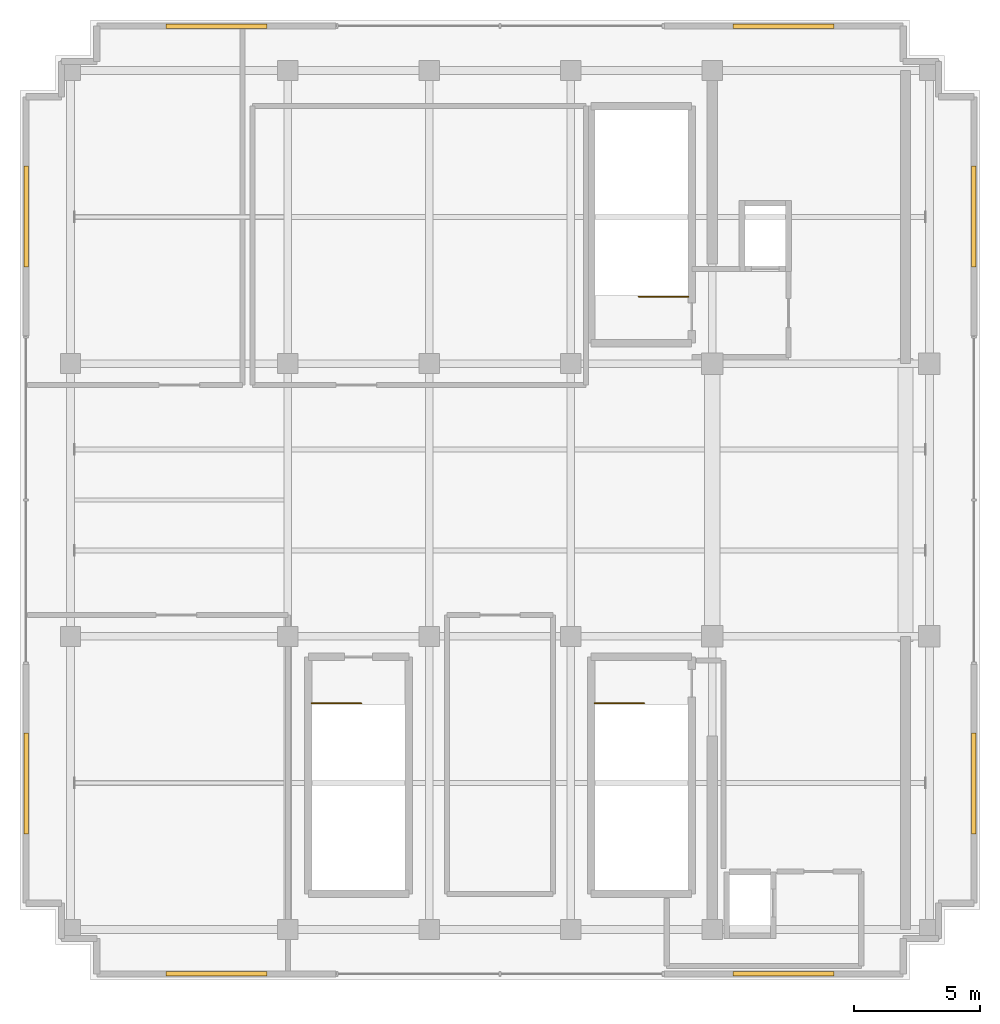
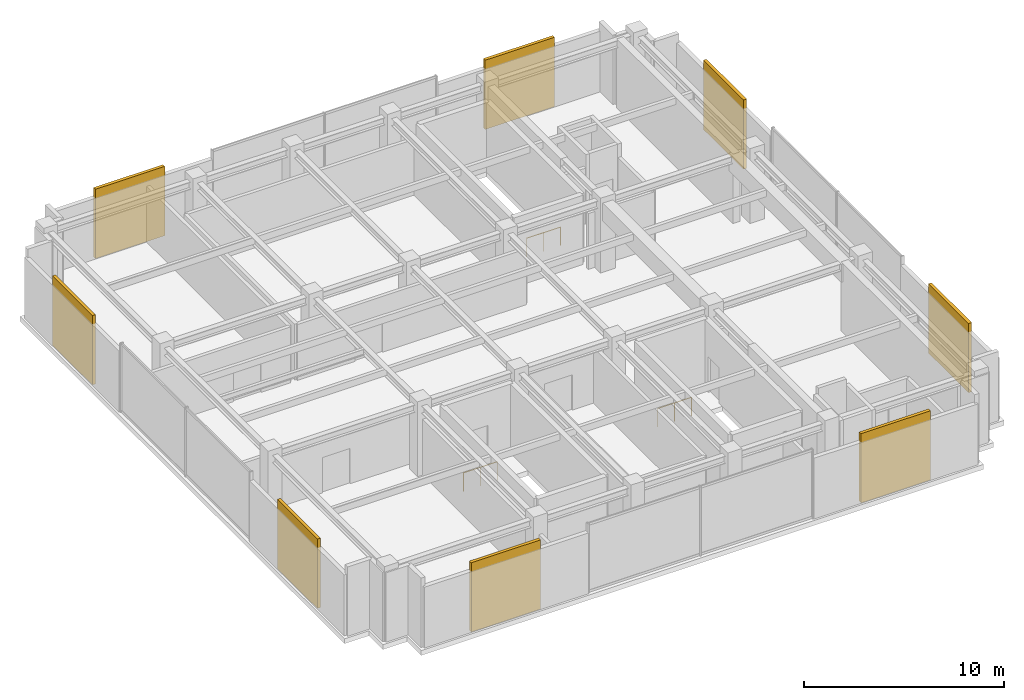
# One storey, part 21 of 21: 8 shading devices, 3 railings.
"""IFC4 building model written with IfcOpenShell, lengths in metres."""

from ifc_helpers import new_model, si_unit, direction, frame, origin, origin_2d, place, context, subcontext, project, spatial, rectangle, circle, extrude, source, transform, mapped, material, layer, layer_set, type_object, element, save


model = new_model("IFC4")

# Units and contexts
model_context = context("Model", 3, precision=1e-05, world=origin(), true_north=direction((0.0, 1.0)))
body_context = subcontext(model_context, "Body", "Model", "MODEL_VIEW")
ifc_project = project(units=[si_unit("LENGTHUNIT", "METRE"), si_unit("AREAUNIT", "SQUARE_METRE"), si_unit("VOLUMEUNIT", "CUBIC_METRE"), si_unit("PLANEANGLEUNIT", "RADIAN"), si_unit("MASSUNIT", "GRAM", prefix="KILO")], contexts=[model_context])

# Site, building, storey
site_placement = place(None, origin())
site = spatial("IfcSite", under=ifc_project, at=site_placement, CompositionType="ELEMENT")
building_placement = place(site_placement, origin())
building = spatial("IfcBuilding", under=site, at=building_placement, Name="Nahalor Promenade Grand Hotel", CompositionType="ELEMENT")
storey_placement = place(building_placement, frame((0.0, 0.0, 370.85009765625)))
storey = spatial("IfcBuildingStorey", under=building, at=storey_placement, Name="L94", CompositionType="ELEMENT", Elevation=370.85009765625)

# Railings
ifc_material_1 = material(Name="Steel S355JR", Category="steel")
railing_type = type_object("IfcRailingType", Name="Steel Stair Guardrail 1150 mm", PredefinedType="GUARDRAIL", material=ifc_material_1)
railing_placement = place(storey_placement, frame((7.449951171875, 8.050048828125, 0.0)))
element("IfcRailing", 1, at=railing_placement, inside=storey, type_object=railing_type, Name="L94 ST1 top well guard 1", PredefinedType="GUARDRAIL", context=body_context, shape_type="SweptSolid", body=[
    extrude(circle(Radius=0.024048, at=origin_2d()), frame((0.0, 0.0, 1.1259765625), z_axis=(-1.0, 0.0, 0.0), x_axis=(0.0, -1.0, 0.0)), (0.0, 0.0, 1.0), 1.949951171875),
    extrude(circle(Radius=0.020996, at=origin_2d()), origin(), (0.0, 0.0, 1.0), 1.099853515625),
    extrude(circle(Radius=0.020996, at=origin_2d()), frame((-0.97509765625, 0.0, 0.0)), (0.0, 0.0, 1.0), 1.099853515625),
    extrude(circle(Radius=0.020996, at=origin_2d()), frame((-1.949951171875, 0.0, 0.0)), (0.0, 0.0, 1.0), 1.099853515625),
])
for number, where, name in (
    (2, (3.75, -8.050048828125, 0.0), "L94 ST2 top well guard 1"),
    (3, (-7.449951171875, -8.050048828125, 0.0), "L94 ST3 top well guard 1"),
):
    element("IfcRailing", number, at=place(storey_placement, frame(where)), inside=storey, type_object=railing_type, Name=name, PredefinedType="GUARDRAIL", context=body_context, shape_type="SweptSolid", body=[
        extrude(circle(Radius=0.024048, at=origin_2d()), frame((0.0, 0.0, 1.1259765625), z_axis=(1.0, 0.0, 0.0), x_axis=(0.0, 1.0, 0.0)), (0.0, 0.0, 1.0), 1.949951171875),
        extrude(circle(Radius=0.020996, at=origin_2d()), origin(), (0.0, 0.0, 1.0), 1.099853515625),
        extrude(circle(Radius=0.020996, at=origin_2d()), frame((0.97509765625, 0.0, 0.0)), (0.0, 0.0, 1.0), 1.099853515625),
        extrude(circle(Radius=0.020996, at=origin_2d()), frame((1.949951171875, 0.0, 0.0)), (0.0, 0.0, 1.0), 1.099853515625),
    ])

# Shading devices
ifc_material_2 = material(Name="Anodised Bronze Aluminium EN AW-6063 T6", Category="aluminium")
ifc_layer = layer(ifc_material_2, 0.179931640625)
ifc_layer_set = layer_set([ifc_layer], Name="Anodised Bronze Aluminium EN AW-6063 T6")
shading_device_type = type_object("IfcShadingDeviceType", Name="Shade-PlantLouvre-Bronze", PredefinedType="USERDEFINED", material=ifc_layer_set)
shared_shape = source(origin(), body_context, "Body", "SweptSolid", [
    extrude(rectangle(XDim=4.0, YDim=0.179931640625, at=origin_2d()), origin(), (0.0, 0.0, 1.0), 4.219970703125),
])
for number, where, z_axis, x_axis, name in (
    (4, (-11.22998046875, -18.760009765625, 0.0), (0.0, 0.0, 1.0), (1.0, 0.0, 0.0), "LV-L94-SL"),
    (5, (11.22998046875, -18.760009765625, 0.0), (0.0, 0.0, 1.0), (1.0, 0.0, 0.0), "LV-L94-SR"),
    (6, (-11.22998046875, 18.760009765625, 0.0), (0.0, 0.0, 1.0), (1.0, 0.0, 0.0), "LV-L94-NL"),
    (7, (11.22998046875, 18.760009765625, 0.0), (0.0, 0.0, 1.0), (1.0, 0.0, 0.0), "LV-L94-NR"),
    (8, (-18.760009765625, -11.22998046875, 0.0), (0.0, 0.0, 1.0), (0.0, 1.0, 0.0), "LV-L94-WL"),
    (9, (-18.760009765625, 11.22998046875, 0.0), (0.0, 0.0, 1.0), (0.0, 1.0, 0.0), "LV-L94-WR"),
    (10, (18.760009765625, -11.22998046875, 0.0), (0.0, 0.0, 1.0), (0.0, 1.0, 0.0), "LV-L94-EL"),
    (11, (18.760009765625, 11.22998046875, 0.0), (0.0, 0.0, 1.0), (0.0, 1.0, 0.0), "LV-L94-ER"),
):
    element("IfcShadingDevice", number, at=place(storey_placement, frame(where, z_axis=z_axis, x_axis=x_axis)), inside=storey, type_object=shading_device_type, Name=name, ObjectType="LOUVRE", PredefinedType="USERDEFINED", context=body_context, shape_type="MappedRepresentation", body=[
        mapped(shared_shape, transform((0.0, 0.0, 0.0), scale=1.0)),
    ])

save(model, "model.ifc")
